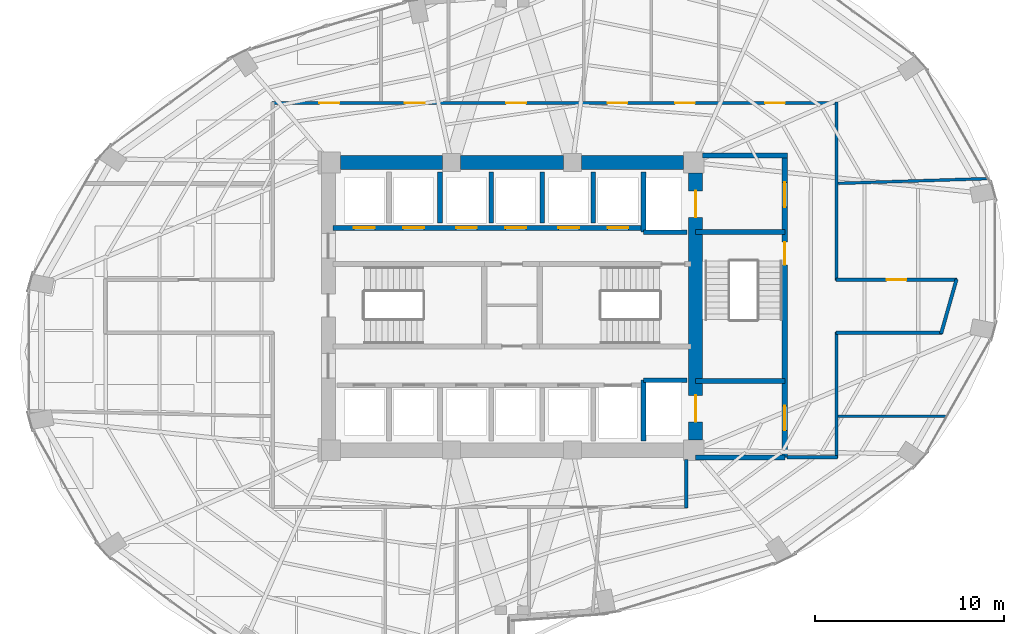
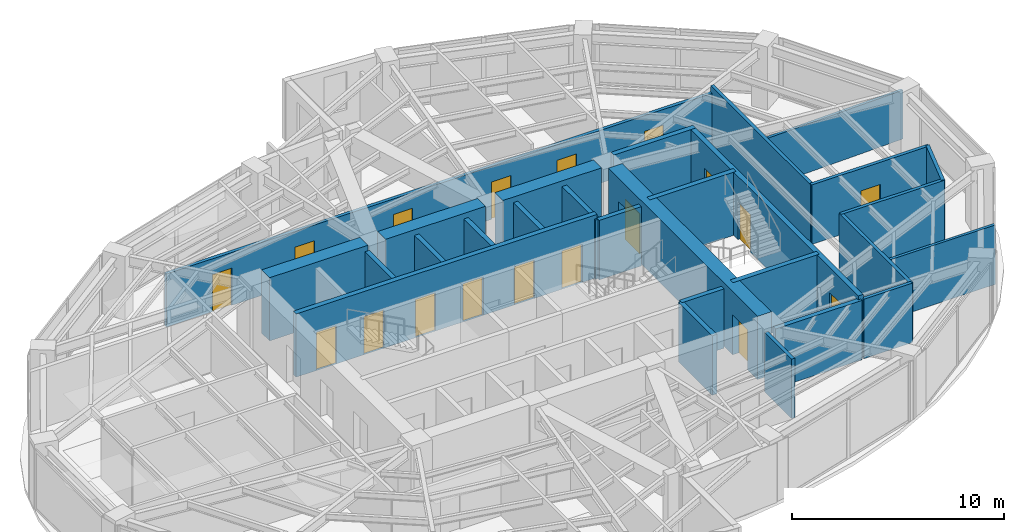
# One storey, part 20 of 23: 28 walls, 18 doors, 18 openings.
"""IFC4 building model written with IfcOpenShell, lengths in metres."""

from ifc_helpers import new_model, si_unit, direction, frame, frame_2d, origin, place, context, subcontext, project, spatial, rectangle, extrude, material, layer, layer_set, type_object, element, fill, save


model = new_model("IFC4")

# Units and contexts
model_context = context("Model", 3, precision=1e-05, world=origin(), true_north=direction((0.0, 1.0)))
body_context = subcontext(model_context, "Body", "Model", "MODEL_VIEW")
ifc_project = project(units=[si_unit("LENGTHUNIT", "METRE"), si_unit("AREAUNIT", "SQUARE_METRE"), si_unit("VOLUMEUNIT", "CUBIC_METRE"), si_unit("PLANEANGLEUNIT", "RADIAN"), si_unit("MASSUNIT", "GRAM", prefix="KILO")], contexts=[model_context])

# Site, building, storey
site_placement = place(None, origin())
site = spatial("IfcSite", under=ifc_project, at=site_placement, CompositionType="ELEMENT")
building_placement = place(site_placement, origin())
building = spatial("IfcBuilding", under=site, at=building_placement, Name="Lazwardi Medical Tower", CompositionType="ELEMENT")
storey_placement = place(building_placement, frame((0.0, 0.0, 85.39208984375)))
storey = spatial("IfcBuildingStorey", under=building, at=storey_placement, Name="L21", CompositionType="ELEMENT", Elevation=85.39208984375)

# Wall, openings, doors
ifc_material_1 = material(Name="Fire-rated gypsum board on steel stud", Category="steel")
ifc_layer_1 = layer(ifc_material_1, 0.179931640625)
ifc_layer_set_1 = layer_set([ifc_layer_1], Name="Fire-rated gypsum board on steel stud")
wall_type_1 = type_object("IfcWallType", Name="WL-COR-180", PredefinedType="PARTITIONING", material=ifc_layer_set_1)
wall_1_placement = place(storey_placement, frame((23.31005859375, 38.75, 0.0), z_axis=(0.0, 0.0, 1.0), x_axis=(1.0, 0.0, 0.0)))
wall_1 = element("IfcWall", 1, at=wall_1_placement, inside=storey, type_object=wall_type_1, Name="L21 Corridor partition 4", PredefinedType="PARTITIONING", context=body_context, shape_type="SweptSolid", body=[
    extrude(rectangle(XDim=29.8798828125, YDim=0.179931640625, at=frame_2d((14.93994140625, 0.0))), origin(), (0.0, 0.0, 1.0), 3.052978515625),
])
opening_1_placement = place(wall_1_placement, frame((26.06591796875, 0.0, 0.0)))
opening_1 = element("IfcOpeningElement", 2, at=opening_1_placement, cuts=wall_1, Name="Opening D-L21-013", PredefinedType="OPENING", context=body_context, shape_type="SweptSolid", body=[
    extrude(rectangle(XDim=1.050048828125, YDim=2.14990234375, at=frame_2d((0.52490234375, 1.074951171875))), frame((0.0, 0.099853515625, 0.0), z_axis=(0.0, -1.0, 0.0), x_axis=(1.0, 0.0, 0.0)), (0.0, 0.0, 1.0), 0.199951171875),
])
opening_2_placement = place(wall_1_placement, frame((21.31005859375, 0.0, 0.0)))
opening_2 = element("IfcOpeningElement", 3, at=opening_2_placement, cuts=wall_1, Name="Opening D-L21-014", PredefinedType="OPENING", context=body_context, shape_type="SweptSolid", body=[
    extrude(rectangle(XDim=1.050048828125, YDim=2.14990234375, at=frame_2d((0.52490234375, 1.074951171875))), frame((0.0, 0.099853515625, 0.0), z_axis=(0.0, -1.0, 0.0), x_axis=(1.0, 0.0, 0.0)), (0.0, 0.0, 1.0), 0.199951171875),
])
opening_3_placement = place(wall_1_placement, frame((17.739990234375, 0.0, 0.0)))
opening_3 = element("IfcOpeningElement", 4, at=opening_3_placement, cuts=wall_1, Name="Opening D-L21-015", PredefinedType="OPENING", context=body_context, shape_type="SweptSolid", body=[
    extrude(rectangle(XDim=1.050048828125, YDim=2.14990234375, at=frame_2d((0.52490234375, 1.074951171875))), frame((0.0, 0.099853515625, 0.0), z_axis=(0.0, -1.0, 0.0), x_axis=(1.0, 0.0, 0.0)), (0.0, 0.0, 1.0), 0.199951171875),
])
opening_4_placement = place(wall_1_placement, frame((12.3798828125, 0.0, 0.0)))
opening_4 = element("IfcOpeningElement", 5, at=opening_4_placement, cuts=wall_1, Name="Opening D-L21-016", PredefinedType="OPENING", context=body_context, shape_type="SweptSolid", body=[
    extrude(rectangle(XDim=1.050048828125, YDim=2.14990234375, at=frame_2d((0.52490234375, 1.074951171875))), frame((0.0, 0.099853515625, 0.0), z_axis=(0.0, -1.0, 0.0), x_axis=(1.0, 0.0, 0.0)), (0.0, 0.0, 1.0), 0.199951171875),
])
opening_5_placement = place(wall_1_placement, frame((7.02001953125, 0.0, 0.0)))
opening_5 = element("IfcOpeningElement", 6, at=opening_5_placement, cuts=wall_1, Name="Opening D-L21-017", PredefinedType="OPENING", context=body_context, shape_type="SweptSolid", body=[
    extrude(rectangle(XDim=1.050048828125, YDim=2.14990234375, at=frame_2d((0.52490234375, 1.074951171875))), frame((0.0, 0.099853515625, 0.0), z_axis=(0.0, -1.0, 0.0), x_axis=(1.0, 0.0, 0.0)), (0.0, 0.0, 1.0), 0.199951171875),
])
opening_6_placement = place(wall_1_placement, frame((2.513916015625, 0.0, 0.0)))
opening_6 = element("IfcOpeningElement", 7, at=opening_6_placement, cuts=wall_1, Name="Opening D-L21-018", PredefinedType="OPENING", context=body_context, shape_type="SweptSolid", body=[
    extrude(rectangle(XDim=1.050048828125, YDim=2.14990234375, at=frame_2d((0.52490234375, 1.074951171875))), frame((0.0, 0.099853515625, 0.0), z_axis=(0.0, -1.0, 0.0), x_axis=(1.0, 0.0, 0.0)), (0.0, 0.0, 1.0), 0.199951171875),
])
ifc_material_2 = material(Name="Anti-microbial laminate hospital leaf")
door_type_1 = type_object("IfcDoorType", Name="DR-CLN-1050", OperationType="NOTDEFINED", PredefinedType="DOOR", material=ifc_material_2)
door_1_placement = place(opening_1_placement, origin())
door_1 = element("IfcDoor", 8, at=door_1_placement, inside=storey, type_object=door_type_1, Name="L21 Outpatient Consultation Suite Door 07", OperationType="SINGLE_SWING_RIGHT", OverallHeight=2.14990234375, OverallWidth=1.050048828125, PredefinedType="DOOR", context=body_context, shape_type="SweptSolid", body=[
    extrude(rectangle(XDim=1.050048828125, YDim=2.14990234375, at=frame_2d((0.52490234375, 1.074951171875))), frame((0.0, 0.02490234375, 0.0), z_axis=(0.0, -1.0, 0.0), x_axis=(1.0, 0.0, 0.0)), (0.0, 0.0, 1.0), 0.050048828125),
])
fill(opening_1, door_1)
door_2_placement = place(opening_2_placement, origin())
door_2 = element("IfcDoor", 9, at=door_2_placement, inside=storey, type_object=door_type_1, Name="L21 Outpatient Consultation Suite Door 08", OperationType="SINGLE_SWING_LEFT", OverallHeight=2.14990234375, OverallWidth=1.050048828125, PredefinedType="DOOR", context=body_context, shape_type="SweptSolid", body=[
    extrude(rectangle(XDim=1.050048828125, YDim=2.14990234375, at=frame_2d((0.52490234375, 1.074951171875))), frame((0.0, 0.02490234375, 0.0), z_axis=(0.0, -1.0, 0.0), x_axis=(1.0, 0.0, 0.0)), (0.0, 0.0, 1.0), 0.050048828125),
])
fill(opening_2, door_2)
door_3_placement = place(opening_3_placement, origin())
door_3 = element("IfcDoor", 10, at=door_3_placement, inside=storey, type_object=door_type_1, Name="L21 Outpatient Consultation Suite Door 09", OperationType="SINGLE_SWING_RIGHT", OverallHeight=2.14990234375, OverallWidth=1.050048828125, PredefinedType="DOOR", context=body_context, shape_type="SweptSolid", body=[
    extrude(rectangle(XDim=1.050048828125, YDim=2.14990234375, at=frame_2d((0.52490234375, 1.074951171875))), frame((0.0, 0.02490234375, 0.0), z_axis=(0.0, -1.0, 0.0), x_axis=(1.0, 0.0, 0.0)), (0.0, 0.0, 1.0), 0.050048828125),
])
fill(opening_3, door_3)
door_4_placement = place(opening_4_placement, origin())
door_4 = element("IfcDoor", 11, at=door_4_placement, inside=storey, type_object=door_type_1, Name="L21 Outpatient Consultation Suite Door 10", OperationType="SINGLE_SWING_LEFT", OverallHeight=2.14990234375, OverallWidth=1.050048828125, PredefinedType="DOOR", context=body_context, shape_type="SweptSolid", body=[
    extrude(rectangle(XDim=1.050048828125, YDim=2.14990234375, at=frame_2d((0.52490234375, 1.074951171875))), frame((0.0, 0.02490234375, 0.0), z_axis=(0.0, -1.0, 0.0), x_axis=(1.0, 0.0, 0.0)), (0.0, 0.0, 1.0), 0.050048828125),
])
fill(opening_4, door_4)
door_5_placement = place(opening_5_placement, origin())
door_5 = element("IfcDoor", 12, at=door_5_placement, inside=storey, type_object=door_type_1, Name="L21 Outpatient Consultation Suite Door 11", OperationType="SINGLE_SWING_RIGHT", OverallHeight=2.14990234375, OverallWidth=1.050048828125, PredefinedType="DOOR", context=body_context, shape_type="SweptSolid", body=[
    extrude(rectangle(XDim=1.050048828125, YDim=2.14990234375, at=frame_2d((0.52490234375, 1.074951171875))), frame((0.0, 0.02490234375, 0.0), z_axis=(0.0, -1.0, 0.0), x_axis=(1.0, 0.0, 0.0)), (0.0, 0.0, 1.0), 0.050048828125),
])
fill(opening_5, door_5)
door_6_placement = place(opening_6_placement, origin())
door_6 = element("IfcDoor", 13, at=door_6_placement, inside=storey, type_object=door_type_1, Name="L21 Outpatient Consultation Suite Door 12", OperationType="SINGLE_SWING_LEFT", OverallHeight=2.14990234375, OverallWidth=1.050048828125, PredefinedType="DOOR", context=body_context, shape_type="SweptSolid", body=[
    extrude(rectangle(XDim=1.050048828125, YDim=2.14990234375, at=frame_2d((0.52490234375, 1.074951171875))), frame((0.0, 0.02490234375, 0.0), z_axis=(0.0, -1.0, 0.0), x_axis=(1.0, 0.0, 0.0)), (0.0, 0.0, 1.0), 0.050048828125),
])
fill(opening_6, door_6)

# Wall
wall_2_placement = place(storey_placement, frame((53.14990234375, 38.7900390625, 0.0), z_axis=(0.0, 0.0, 1.0), x_axis=(0.0, -1.0, 0.0)))
element("IfcWall", 14, at=wall_2_placement, inside=storey, type_object=wall_type_1, Name="L21 Corridor partition 5", PredefinedType="PARTITIONING", context=body_context, shape_type="SweptSolid", body=[
    extrude(rectangle(XDim=9.429931640625, YDim=0.179931640625, at=frame_2d((4.71484375, 0.0))), origin(), (0.0, 0.0, 1.0), 3.427978515625),
])

# Wall, opening, door
wall_3_placement = place(storey_placement, frame((53.110107421875, 29.39990234375, 0.0), z_axis=(0.0, 0.0, 1.0), x_axis=(1.0, 0.0, 0.0)))
wall_3 = element("IfcWall", 15, at=wall_3_placement, inside=storey, type_object=wall_type_1, Name="L21 Corridor partition 6", PredefinedType="PARTITIONING", context=body_context, shape_type="SweptSolid", body=[
    extrude(rectangle(XDim=6.41259765625, YDim=0.179931640625, at=frame_2d((3.206298828125, 0.0))), origin(), (0.0, 0.0, 1.0), 3.427978515625),
])
opening_7_placement = place(wall_3_placement, frame((2.681396484375, 0.0, 0.0)))
opening_7 = element("IfcOpeningElement", 16, at=opening_7_placement, cuts=wall_3, Name="Opening D-L21-012", PredefinedType="OPENING", context=body_context, shape_type="SweptSolid", body=[
    extrude(rectangle(XDim=1.050048828125, YDim=2.14990234375, at=frame_2d((0.52490234375, 1.074951171875))), frame((0.0, 0.099853515625, 0.0), z_axis=(0.0, -1.0, 0.0), x_axis=(1.0, 0.0, 0.0)), (0.0, 0.0, 1.0), 0.199951171875),
])
door_7_placement = place(opening_7_placement, origin())
door_7 = element("IfcDoor", 17, at=door_7_placement, inside=storey, type_object=door_type_1, Name="L21 Outpatient Consultation Suite Door 06", OperationType="SINGLE_SWING_LEFT", OverallHeight=2.14990234375, OverallWidth=1.050048828125, PredefinedType="DOOR", context=body_context, shape_type="SweptSolid", body=[
    extrude(rectangle(XDim=1.050048828125, YDim=2.14990234375, at=frame_2d((0.52490234375, 1.074951171875))), frame((0.0, 0.02490234375, 0.0), z_axis=(0.0, -1.0, 0.0), x_axis=(1.0, 0.0, 0.0)), (0.0, 0.0, 1.0), 0.050048828125),
])
fill(opening_7, door_7)

# Walls
wall_4_placement = place(storey_placement, frame((59.49365234375, 29.4384765625, 0.0), z_axis=(0.0, 0.0, 1.0), x_axis=(-0.273222154729, -0.961950962453, 0.0)))
element("IfcWall", 18, at=wall_4_placement, inside=storey, type_object=wall_type_1, Name="L21 Corridor partition 7", PredefinedType="PARTITIONING", context=body_context, shape_type="SweptSolid", body=[
    extrude(rectangle(XDim=2.99072265625, YDim=0.179931640625, at=frame_2d((1.495361328125, 0.0))), origin(), (0.0, 0.0, 1.0), 3.427978515625),
])
wall_5_placement = place(storey_placement, frame((58.727294921875, 26.60009765625, 0.0), z_axis=(0.0, 0.0, 1.0), x_axis=(-1.0, 0.0, 0.0)))
element("IfcWall", 19, at=wall_5_placement, inside=storey, type_object=wall_type_1, Name="L21 Corridor partition 8", PredefinedType="PARTITIONING", context=body_context, shape_type="SweptSolid", body=[
    extrude(rectangle(XDim=5.6171875, YDim=0.179931640625, at=frame_2d((2.80859375, 0.0))), origin(), (0.0, 0.0, 1.0), 3.427978515625),
])
wall_6_placement = place(storey_placement, frame((53.14990234375, 26.639892578125, 0.0), z_axis=(0.0, 0.0, 1.0), x_axis=(0.0, -1.0, 0.0)))
element("IfcWall", 20, at=wall_6_placement, inside=storey, type_object=wall_type_1, Name="L21 Corridor partition 9", PredefinedType="PARTITIONING", context=body_context, shape_type="SweptSolid", body=[
    extrude(rectangle(XDim=6.659912109375, YDim=0.179931640625, at=frame_2d((3.330078125, 0.0))), origin(), (0.0, 0.0, 1.0), 3.427978515625),
])
wall_7_placement = place(storey_placement, frame((53.18994140625, 20.02001953125, 0.0), z_axis=(0.0, 0.0, 1.0), x_axis=(-1.0, 0.0, 0.0)))
element("IfcWall", 21, at=wall_7_placement, inside=storey, type_object=wall_type_1, Name="L21 Corridor partition 10", PredefinedType="PARTITIONING", context=body_context, shape_type="SweptSolid", body=[
    extrude(rectangle(XDim=2.64990234375, YDim=0.179931640625, at=frame_2d((1.324951171875, 0.0))), origin(), (0.0, 0.0, 1.0), 3.427978515625),
])
wall_8_placement = place(storey_placement, frame((45.199951171875, 19.909912109375, 0.0), z_axis=(0.0, 0.0, 1.0), x_axis=(0.0, -1.0, 0.0)))
element("IfcWall", 22, at=wall_8_placement, inside=storey, type_object=wall_type_1, Name="L21 Corridor partition 13", PredefinedType="PARTITIONING", context=body_context, shape_type="SweptSolid", body=[
    extrude(rectangle(XDim=2.5498046875, YDim=0.179931640625, at=frame_2d((1.27490234375, 0.0))), origin(), (0.0, 0.0, 1.0), 3.427978515625),
])

# Wall, openings, doors
ifc_material_3 = material(Name="Concrete C70/85", Category="concrete")
ifc_layer_2 = layer(ifc_material_3, 0.75)
ifc_layer_set_2 = layer_set([ifc_layer_2], Name="Concrete C70/85")
wall_type_2 = type_object("IfcWallType", Name="WL-CORE-750", PredefinedType="SHEAR", material=ifc_layer_set_2)
wall_9_placement = place(storey_placement, frame((45.699951171875, 20.949951171875, 0.0), z_axis=(0.0, 0.0, 1.0), x_axis=(0.0, 1.0, 0.0)))
wall_9 = element("IfcWall", 23, at=wall_9_placement, inside=storey, type_object=wall_type_2, Name="Core wall CW-S2 east L21", PredefinedType="SHEAR", context=body_context, shape_type="SweptSolid", body=[
    extrude(rectangle(XDim=14.10009765625, YDim=0.75, at=frame_2d((7.050048828125, 0.0))), origin(), (0.0, 0.0, 1.0), 3.64794921875),
])
opening_8_placement = place(wall_9_placement, frame((11.75, 0.0, 0.0)))
opening_8 = element("IfcOpeningElement", 24, at=opening_8_placement, cuts=wall_9, Name="Opening LD-L21-001", PredefinedType="OPENING", context=body_context, shape_type="SweptSolid", body=[
    extrude(rectangle(XDim=1.39990234375, YDim=2.300048828125, at=frame_2d((0.699951171875, 1.14990234375))), frame((0.0, 0.385009765625, 0.0), z_axis=(0.0, -1.0, 0.0), x_axis=(1.0, 0.0, 0.0)), (0.0, 0.0, 1.0), 0.77001953125),
])
opening_9_placement = place(wall_9_placement, frame((0.949951171875, 0.0, 0.0)))
opening_9 = element("IfcOpeningElement", 25, at=opening_9_placement, cuts=wall_9, Name="Opening LD-L21-002", PredefinedType="OPENING", context=body_context, shape_type="SweptSolid", body=[
    extrude(rectangle(XDim=1.39990234375, YDim=2.300048828125, at=frame_2d((0.699951171875, 1.14990234375))), frame((0.0, 0.385009765625, 0.0), z_axis=(0.0, -1.0, 0.0), x_axis=(1.0, 0.0, 0.0)), (0.0, 0.0, 1.0), 0.77001953125),
])
ifc_material_4 = material(Name="Brushed stainless steel bed-lift landing door", Category="steel")
door_type_2 = type_object("IfcDoorType", Name="DR-LFT-1400", OperationType="NOTDEFINED", PredefinedType="DOOR", material=ifc_material_4)
door_8_placement = place(opening_8_placement, origin())
door_8 = element("IfcDoor", 26, at=door_8_placement, inside=storey, type_object=door_type_2, Name="L21 Lift Landing Door FL-01", OperationType="SLIDING_TO_LEFT", OverallHeight=2.300048828125, OverallWidth=1.39990234375, PredefinedType="DOOR", context=body_context, shape_type="SweptSolid", body=[
    extrude(rectangle(XDim=1.39990234375, YDim=2.300048828125, at=frame_2d((0.699951171875, 1.14990234375))), frame((0.0, 0.02490234375, 0.0), z_axis=(0.0, -1.0, 0.0), x_axis=(1.0, 0.0, 0.0)), (0.0, 0.0, 1.0), 0.050048828125),
])
fill(opening_8, door_8)
door_9_placement = place(opening_9_placement, origin())
door_9 = element("IfcDoor", 27, at=door_9_placement, inside=storey, type_object=door_type_2, Name="L21 Lift Landing Door FL-02", OperationType="SLIDING_TO_LEFT", OverallHeight=2.300048828125, OverallWidth=1.39990234375, PredefinedType="DOOR", context=body_context, shape_type="SweptSolid", body=[
    extrude(rectangle(XDim=1.39990234375, YDim=2.300048828125, at=frame_2d((0.699951171875, 1.14990234375))), frame((0.0, 0.02490234375, 0.0), z_axis=(0.0, -1.0, 0.0), x_axis=(1.0, 0.0, 0.0)), (0.0, 0.0, 1.0), 0.050048828125),
])
fill(opening_9, door_9)

# Walls
wall_10_placement = place(storey_placement, frame((26.949951171875, 35.60009765625, 0.0), z_axis=(0.0, 0.0, 1.0), x_axis=(1.0, 0.0, 0.0)))
element("IfcWall", 28, at=wall_10_placement, inside=storey, type_object=wall_type_2, Name="Core wall CW-S2 N1 L21", PredefinedType="SHEAR", context=body_context, shape_type="SweptSolid", body=[
    extrude(rectangle(XDim=5.375, YDim=0.75, at=frame_2d((2.6875, 0.0))), origin(), (0.0, 0.0, 1.0), 3.64794921875),
])
wall_11_placement = place(storey_placement, frame((33.27490234375, 35.60009765625, 0.0), z_axis=(0.0, 0.0, 1.0), x_axis=(1.0, 0.0, 0.0)))
element("IfcWall", 29, at=wall_11_placement, inside=storey, type_object=wall_type_2, Name="Core wall CW-S2 N2 L21", PredefinedType="SHEAR", context=body_context, shape_type="SweptSolid", body=[
    extrude(rectangle(XDim=5.4501953125, YDim=0.75, at=frame_2d((2.72509765625, 0.0))), origin(), (0.0, 0.0, 1.0), 3.64794921875),
])
wall_12_placement = place(storey_placement, frame((39.675048828125, 35.60009765625, 0.0), z_axis=(0.0, 0.0, 1.0), x_axis=(1.0, 0.0, 0.0)))
element("IfcWall", 30, at=wall_12_placement, inside=storey, type_object=wall_type_2, Name="Core wall CW-S2 N3 L21", PredefinedType="SHEAR", context=body_context, shape_type="SweptSolid", body=[
    extrude(rectangle(XDim=5.375, YDim=0.75, at=frame_2d((2.6875, 0.0))), origin(), (0.0, 0.0, 1.0), 3.64794921875),
])
ifc_material_5 = material(Name="Autoclaved aerated concrete blockwork", Category="masonry")
ifc_layer_3 = layer(ifc_material_5, 0.25)
ifc_layer_set_3 = layer_set([ifc_layer_3], Name="Autoclaved aerated concrete blockwork")
wall_type_3 = type_object("IfcWallType", Name="WL-SHAFT-250", PredefinedType="SOLIDWALL", material=ifc_layer_set_3)
wall_13_placement = place(storey_placement, frame((42.949951171875, 31.919921875, 0.0), z_axis=(0.0, 0.0, 1.0), x_axis=(0.0, 1.0, 0.0)))
element("IfcWall", 31, at=wall_13_placement, inside=storey, type_object=wall_type_3, Name="L21 FL-01 West shaft wall", PredefinedType="SOLIDWALL", context=body_context, shape_type="SweptSolid", body=[
    extrude(rectangle(XDim=3.18017578125, YDim=0.25, at=frame_2d((1.590087890625, 0.0))), origin(), (0.0, 0.0, 1.0), 3.427978515625),
])
wall_14_placement = place(storey_placement, frame((42.949951171875, 31.919921875, 0.0), z_axis=(0.0, 0.0, 1.0), x_axis=(1.0, 0.0, 0.0)))
element("IfcWall", 32, at=wall_14_placement, inside=storey, type_object=wall_type_3, Name="L21 FL-01 South shaft wall", PredefinedType="SOLIDWALL", context=body_context, shape_type="SweptSolid", body=[
    extrude(rectangle(XDim=2.300048828125, YDim=0.25, at=frame_2d((1.14990234375, 0.0))), origin(), (0.0, 0.0, 1.0), 3.427978515625),
])
wall_15_placement = place(storey_placement, frame((42.949951171875, 20.89990234375, 0.0), z_axis=(0.0, 0.0, 1.0), x_axis=(0.0, 1.0, 0.0)))
element("IfcWall", 33, at=wall_15_placement, inside=storey, type_object=wall_type_3, Name="L21 FL-02 West shaft wall", PredefinedType="SOLIDWALL", context=body_context, shape_type="SweptSolid", body=[
    extrude(rectangle(XDim=3.2001953125, YDim=0.25, at=frame_2d((1.60009765625, 0.0))), origin(), (0.0, 0.0, 1.0), 3.427978515625),
])
wall_16_placement = place(storey_placement, frame((42.949951171875, 24.10009765625, 0.0), z_axis=(0.0, 0.0, 1.0), x_axis=(1.0, 0.0, 0.0)))
element("IfcWall", 34, at=wall_16_placement, inside=storey, type_object=wall_type_3, Name="L21 FL-02 North shaft wall", PredefinedType="SOLIDWALL", context=body_context, shape_type="SweptSolid", body=[
    extrude(rectangle(XDim=2.300048828125, YDim=0.25, at=frame_2d((1.14990234375, 0.0))), origin(), (0.0, 0.0, 1.0), 3.427978515625),
])
for number, where, z_axis, x_axis, name in (
    (35, (32.199951171875, 32.419921875, 0.0), (0.0, 0.0, 1.0), (0.0, 1.0, 0.0), "L21 North hoistway divider"),
    (36, (34.89990234375, 32.419921875, 0.0), (0.0, 0.0, 1.0), (0.0, 1.0, 0.0), "L21 North hoistway divider"),
    (37, (37.60009765625, 32.419921875, 0.0), (0.0, 0.0, 1.0), (0.0, 1.0, 0.0), "L21 North hoistway divider"),
    (38, (40.300048828125, 32.419921875, 0.0), (0.0, 0.0, 1.0), (0.0, 1.0, 0.0), "L21 North hoistway divider"),
):
    element("IfcWall", number, at=place(storey_placement, frame(where, z_axis=z_axis, x_axis=x_axis)), inside=storey, type_object=wall_type_3, Name=name, PredefinedType="SOLIDWALL", context=body_context, shape_type="SweptSolid", body=[
        extrude(rectangle(XDim=2.68017578125, YDim=0.25, at=frame_2d((1.340087890625, 0.0))), origin(), (0.0, 0.0, 1.0), 3.427978515625),
    ])
wall_17_placement = place(storey_placement, frame((45.699951171875, 20.02001953125, 0.0), z_axis=(0.0, 0.0, 1.0), x_axis=(1.0, 0.0, 0.0)))
element("IfcWall", 39, at=wall_17_placement, inside=storey, type_object=wall_type_3, Name="L21 FFL-S South wall", PredefinedType="SOLIDWALL", context=body_context, shape_type="SweptSolid", body=[
    extrude(rectangle(XDim=4.715087890625, YDim=0.25, at=frame_2d((2.357421875, 0.0))), origin(), (0.0, 0.0, 1.0), 3.427978515625),
])

# Wall, openings, doors
ifc_material_6 = material(Name="Concrete C50/60", Category="concrete")
ifc_layer_4 = layer(ifc_material_6, 0.27001953125)
ifc_layer_set_4 = layer_set([ifc_layer_4], Name="Concrete C50/60")
wall_type_4 = type_object("IfcWallType", Name="WL-STR-250", PredefinedType="SHEAR", material=ifc_layer_set_4)
wall_18_placement = place(storey_placement, frame((26.550048828125, 32.14990234375, 0.0), z_axis=(0.0, 0.0, 1.0), x_axis=(1.0, 0.0, 0.0)))
wall_18 = element("IfcWall", 40, at=wall_18_placement, inside=storey, type_object=wall_type_4, Name="L21 North lift bank shear wall SW-S1", PredefinedType="SHEAR", context=body_context, shape_type="SweptSolid", body=[
    extrude(rectangle(XDim=16.39990234375, YDim=0.27001953125, at=frame_2d((8.199951171875, 0.0))), origin(), (0.0, 0.0, 1.0), 3.64794921875),
])
opening_10_placement = place(wall_18_placement, frame((1.10009765625, 0.0, 0.0)))
opening_10 = element("IfcOpeningElement", 41, at=opening_10_placement, cuts=wall_18, Name="Opening LD-L21-004", PredefinedType="OPENING", context=body_context, shape_type="SweptSolid", body=[
    extrude(rectangle(XDim=1.10009765625, YDim=2.199951171875, at=frame_2d((0.550048828125, 1.10009765625))), frame((0.0, 0.14501953125, 0.0), z_axis=(0.0, -1.0, 0.0), x_axis=(1.0, 0.0, 0.0)), (0.0, 0.0, 1.0), 0.2900390625),
])
opening_11_placement = place(wall_18_placement, frame((3.699951171875, 0.0, 0.0)))
opening_11 = element("IfcOpeningElement", 42, at=opening_11_placement, cuts=wall_18, Name="Opening LD-L21-005", PredefinedType="OPENING", context=body_context, shape_type="SweptSolid", body=[
    extrude(rectangle(XDim=1.10009765625, YDim=2.199951171875, at=frame_2d((0.550048828125, 1.10009765625))), frame((0.0, 0.14501953125, 0.0), z_axis=(0.0, -1.0, 0.0), x_axis=(1.0, 0.0, 0.0)), (0.0, 0.0, 1.0), 0.2900390625),
])
opening_12_placement = place(wall_18_placement, frame((6.5, 0.0, 0.0)))
opening_12 = element("IfcOpeningElement", 43, at=opening_12_placement, cuts=wall_18, Name="Opening LD-L21-008", PredefinedType="OPENING", context=body_context, shape_type="SweptSolid", body=[
    extrude(rectangle(XDim=1.10009765625, YDim=2.199951171875, at=frame_2d((0.550048828125, 1.10009765625))), frame((0.0, 0.14501953125, 0.0), z_axis=(0.0, -1.0, 0.0), x_axis=(1.0, 0.0, 0.0)), (0.0, 0.0, 1.0), 0.2900390625),
])
opening_13_placement = place(wall_18_placement, frame((9.10009765625, 0.0, 0.0)))
opening_13 = element("IfcOpeningElement", 44, at=opening_13_placement, cuts=wall_18, Name="Opening LD-L21-009", PredefinedType="OPENING", context=body_context, shape_type="SweptSolid", body=[
    extrude(rectangle(XDim=1.10009765625, YDim=2.199951171875, at=frame_2d((0.550048828125, 1.10009765625))), frame((0.0, 0.14501953125, 0.0), z_axis=(0.0, -1.0, 0.0), x_axis=(1.0, 0.0, 0.0)), (0.0, 0.0, 1.0), 0.2900390625),
])
opening_14_placement = place(wall_18_placement, frame((11.89990234375, 0.0, 0.0)))
opening_14 = element("IfcOpeningElement", 45, at=opening_14_placement, cuts=wall_18, Name="Opening LD-L21-012", PredefinedType="OPENING", context=body_context, shape_type="SweptSolid", body=[
    extrude(rectangle(XDim=1.10009765625, YDim=2.199951171875, at=frame_2d((0.550048828125, 1.10009765625))), frame((0.0, 0.14501953125, 0.0), z_axis=(0.0, -1.0, 0.0), x_axis=(1.0, 0.0, 0.0)), (0.0, 0.0, 1.0), 0.2900390625),
])
opening_15_placement = place(wall_18_placement, frame((14.5, 0.0, 0.0)))
opening_15 = element("IfcOpeningElement", 46, at=opening_15_placement, cuts=wall_18, Name="Opening LD-L21-013", PredefinedType="OPENING", context=body_context, shape_type="SweptSolid", body=[
    extrude(rectangle(XDim=1.10009765625, YDim=2.199951171875, at=frame_2d((0.550048828125, 1.10009765625))), frame((0.0, 0.14501953125, 0.0), z_axis=(0.0, -1.0, 0.0), x_axis=(1.0, 0.0, 0.0)), (0.0, 0.0, 1.0), 0.2900390625),
])
ifc_material_7 = material(Name="Brushed bronze stainless steel landing door", Category="steel")
door_type_3 = type_object("IfcDoorType", Name="DR-LFT-1100", OperationType="NOTDEFINED", PredefinedType="DOOR", material=ifc_material_7)
door_10_placement = place(opening_10_placement, origin())
door_10 = element("IfcDoor", 47, at=door_10_placement, inside=storey, type_object=door_type_3, Name="L21 Lift Landing Door PL-01", OperationType="SLIDING_TO_LEFT", OverallHeight=2.199951171875, OverallWidth=1.10009765625, PredefinedType="DOOR", context=body_context, shape_type="SweptSolid", body=[
    extrude(rectangle(XDim=1.10009765625, YDim=2.199951171875, at=frame_2d((0.550048828125, 1.10009765625))), frame((0.0, 0.02490234375, 0.0), z_axis=(0.0, -1.0, 0.0), x_axis=(1.0, 0.0, 0.0)), (0.0, 0.0, 1.0), 0.050048828125),
])
fill(opening_10, door_10)
door_11_placement = place(opening_11_placement, origin())
door_11 = element("IfcDoor", 48, at=door_11_placement, inside=storey, type_object=door_type_3, Name="L21 Lift Landing Door PL-02", OperationType="SLIDING_TO_LEFT", OverallHeight=2.199951171875, OverallWidth=1.10009765625, PredefinedType="DOOR", context=body_context, shape_type="SweptSolid", body=[
    extrude(rectangle(XDim=1.10009765625, YDim=2.199951171875, at=frame_2d((0.550048828125, 1.10009765625))), frame((0.0, 0.02490234375, 0.0), z_axis=(0.0, -1.0, 0.0), x_axis=(1.0, 0.0, 0.0)), (0.0, 0.0, 1.0), 0.050048828125),
])
fill(opening_11, door_11)
door_12_placement = place(opening_12_placement, origin())
door_12 = element("IfcDoor", 49, at=door_12_placement, inside=storey, type_object=door_type_3, Name="L21 Lift Landing Door PL-05", OperationType="SLIDING_TO_LEFT", OverallHeight=2.199951171875, OverallWidth=1.10009765625, PredefinedType="DOOR", context=body_context, shape_type="SweptSolid", body=[
    extrude(rectangle(XDim=1.10009765625, YDim=2.199951171875, at=frame_2d((0.550048828125, 1.10009765625))), frame((0.0, 0.02490234375, 0.0), z_axis=(0.0, -1.0, 0.0), x_axis=(1.0, 0.0, 0.0)), (0.0, 0.0, 1.0), 0.050048828125),
])
fill(opening_12, door_12)
door_13_placement = place(opening_13_placement, origin())
door_13 = element("IfcDoor", 50, at=door_13_placement, inside=storey, type_object=door_type_3, Name="L21 Lift Landing Door PL-06", OperationType="SLIDING_TO_LEFT", OverallHeight=2.199951171875, OverallWidth=1.10009765625, PredefinedType="DOOR", context=body_context, shape_type="SweptSolid", body=[
    extrude(rectangle(XDim=1.10009765625, YDim=2.199951171875, at=frame_2d((0.550048828125, 1.10009765625))), frame((0.0, 0.02490234375, 0.0), z_axis=(0.0, -1.0, 0.0), x_axis=(1.0, 0.0, 0.0)), (0.0, 0.0, 1.0), 0.050048828125),
])
fill(opening_13, door_13)
door_14_placement = place(opening_14_placement, origin())
door_14 = element("IfcDoor", 51, at=door_14_placement, inside=storey, type_object=door_type_3, Name="L21 Lift Landing Door PL-09", OperationType="SLIDING_TO_LEFT", OverallHeight=2.199951171875, OverallWidth=1.10009765625, PredefinedType="DOOR", context=body_context, shape_type="SweptSolid", body=[
    extrude(rectangle(XDim=1.10009765625, YDim=2.199951171875, at=frame_2d((0.550048828125, 1.10009765625))), frame((0.0, 0.02490234375, 0.0), z_axis=(0.0, -1.0, 0.0), x_axis=(1.0, 0.0, 0.0)), (0.0, 0.0, 1.0), 0.050048828125),
])
fill(opening_14, door_14)
door_15_placement = place(opening_15_placement, origin())
door_15 = element("IfcDoor", 52, at=door_15_placement, inside=storey, type_object=door_type_3, Name="L21 Lift Landing Door PL-10", OperationType="SLIDING_TO_LEFT", OverallHeight=2.199951171875, OverallWidth=1.10009765625, PredefinedType="DOOR", context=body_context, shape_type="SweptSolid", body=[
    extrude(rectangle(XDim=1.10009765625, YDim=2.199951171875, at=frame_2d((0.550048828125, 1.10009765625))), frame((0.0, 0.02490234375, 0.0), z_axis=(0.0, -1.0, 0.0), x_axis=(1.0, 0.0, 0.0)), (0.0, 0.0, 1.0), 0.050048828125),
])
fill(opening_15, door_15)

wall_19_placement = place(storey_placement, frame((50.4150390625, 35.844970703125, 0.0), z_axis=(0.0, 0.0, 1.0), x_axis=(0.0, -1.0, 0.0)))
wall_19 = element("IfcWall", 53, at=wall_19_placement, inside=storey, type_object=wall_type_4, Name="L21 East ST3 & FFL shear wall SW-S1", PredefinedType="SHEAR", context=body_context, shape_type="SweptSolid", body=[
    extrude(rectangle(XDim=15.824951171875, YDim=0.27001953125, at=frame_2d((7.91259765625, 0.0))), origin(), (0.0, 0.0, 1.0), 3.64794921875),
])
opening_16_placement = place(wall_19_placement, frame((4.445068359375, 0.0, 0.0)))
opening_16 = element("IfcOpeningElement", 54, at=opening_16_placement, cuts=wall_19, Name="Opening D-L21-022", PredefinedType="OPENING", context=body_context, shape_type="SweptSolid", body=[
    extrude(rectangle(XDim=1.199951171875, YDim=2.14990234375, at=frame_2d((0.60009765625, 1.074951171875))), frame((0.0, 0.14501953125, 0.0), z_axis=(0.0, -1.0, 0.0), x_axis=(1.0, 0.0, 0.0)), (0.0, 0.0, 1.0), 0.2900390625),
])
opening_17_placement = place(wall_19_placement, frame((1.294921875, 0.0, 0.0)))
opening_17 = element("IfcOpeningElement", 55, at=opening_17_placement, cuts=wall_19, Name="Opening D-L21-003", PredefinedType="OPENING", context=body_context, shape_type="SweptSolid", body=[
    extrude(rectangle(XDim=1.300048828125, YDim=2.199951171875, at=frame_2d((0.64990234375, 1.10009765625))), frame((0.0, 0.14501953125, 0.0), z_axis=(0.0, -1.0, 0.0), x_axis=(1.0, 0.0, 0.0)), (0.0, 0.0, 1.0), 0.2900390625),
])
opening_18_placement = place(wall_19_placement, frame((13.094970703125, 0.0, 0.0)))
opening_18 = element("IfcOpeningElement", 56, at=opening_18_placement, cuts=wall_19, Name="Opening D-L21-004", PredefinedType="OPENING", context=body_context, shape_type="SweptSolid", body=[
    extrude(rectangle(XDim=1.300048828125, YDim=2.199951171875, at=frame_2d((0.64990234375, 1.10009765625))), frame((0.0, 0.14501953125, 0.0), z_axis=(0.0, -1.0, 0.0), x_axis=(1.0, 0.0, 0.0)), (0.0, 0.0, 1.0), 0.2900390625),
])
ifc_material_8 = material(Name="Fire-rated steel leaf and frame", Category="steel")
door_type_4 = type_object("IfcDoorType", Name="DR-FFL-1300", OperationType="NOTDEFINED", PredefinedType="DOOR", material=ifc_material_8)
door_16_placement = place(opening_17_placement, origin())
door_16 = element("IfcDoor", 57, at=door_16_placement, inside=storey, type_object=door_type_4, Name="L21 Fire-Fighting Lobby North Door", OperationType="SINGLE_SWING_RIGHT", OverallHeight=2.199951171875, OverallWidth=1.300048828125, PredefinedType="DOOR", context=body_context, shape_type="SweptSolid", body=[
    extrude(rectangle(XDim=1.300048828125, YDim=2.199951171875, at=frame_2d((0.64990234375, 1.10009765625))), frame((0.0, 0.02490234375, 0.0), z_axis=(0.0, -1.0, 0.0), x_axis=(1.0, 0.0, 0.0)), (0.0, 0.0, 1.0), 0.050048828125),
])
fill(opening_17, door_16)
door_17_placement = place(opening_18_placement, origin())
door_17 = element("IfcDoor", 58, at=door_17_placement, inside=storey, type_object=door_type_4, Name="L21 Fire-Fighting Lobby South Door", OperationType="SINGLE_SWING_LEFT", OverallHeight=2.199951171875, OverallWidth=1.300048828125, PredefinedType="DOOR", context=body_context, shape_type="SweptSolid", body=[
    extrude(rectangle(XDim=1.300048828125, YDim=2.199951171875, at=frame_2d((0.64990234375, 1.10009765625))), frame((0.0, 0.02490234375, 0.0), z_axis=(0.0, -1.0, 0.0), x_axis=(1.0, 0.0, 0.0)), (0.0, 0.0, 1.0), 0.050048828125),
])
fill(opening_18, door_17)
door_type_5 = type_object("IfcDoorType", Name="DR-STR-1200", OperationType="NOTDEFINED", PredefinedType="DOOR", material=ifc_material_8)
door_18_placement = place(opening_16_placement, origin())
door_18 = element("IfcDoor", 59, at=door_18_placement, inside=storey, type_object=door_type_5, Name="L21 Exit Stair ST3 Door", OperationType="SINGLE_SWING_LEFT", OverallHeight=2.14990234375, OverallWidth=1.199951171875, PredefinedType="DOOR", context=body_context, shape_type="SweptSolid", body=[
    extrude(rectangle(XDim=1.199951171875, YDim=2.14990234375, at=frame_2d((0.60009765625, 1.074951171875))), frame((0.0, 0.02490234375, 0.0), z_axis=(0.0, -1.0, 0.0), x_axis=(1.0, 0.0, 0.0)), (0.0, 0.0, 1.0), 0.050048828125),
])
fill(opening_16, door_18)

# Walls
wall_20_placement = place(storey_placement, frame((46.074951171875, 35.97998046875, 0.0), z_axis=(0.0, 0.0, 1.0), x_axis=(1.0, 0.0, 0.0)))
element("IfcWall", 60, at=wall_20_placement, inside=storey, type_object=wall_type_4, Name="L21 FFL-N North shear wall SW-S1", PredefinedType="SHEAR", context=body_context, shape_type="SweptSolid", body=[
    extrude(rectangle(XDim=4.47509765625, YDim=0.27001953125, at=frame_2d((2.237548828125, 0.0))), origin(), (0.0, 0.0, 1.0), 3.64794921875),
])
for number, where, z_axis, x_axis, name in (
    (61, (45.699951171875, 31.93505859375, 0.0), (0.0, 0.0, 1.0), (1.0, 0.0, 0.0), "L21 ST3 North shear shaft wall SW-S1"),
    (62, (45.699951171875, 24.06494140625, 0.0), (0.0, 0.0, 1.0), (1.0, 0.0, 0.0), "L21 ST3 South shear shaft wall SW-S1"),
):
    element("IfcWall", number, at=place(storey_placement, frame(where, z_axis=z_axis, x_axis=x_axis)), inside=storey, type_object=wall_type_4, Name=name, PredefinedType="SHEAR", context=body_context, shape_type="SweptSolid", body=[
        extrude(rectangle(XDim=4.715087890625, YDim=0.27001953125, at=frame_2d((2.357421875, 0.0))), origin(), (0.0, 0.0, 1.0), 3.64794921875),
    ])
ifc_material_9 = material(Name="Acoustic gypsum board partition")
ifc_layer_5 = layer(ifc_material_9, 0.14990234375)
ifc_layer_set_5 = layer_set([ifc_layer_5], Name="Acoustic gypsum board partition")
wall_type_5 = type_object("IfcWallType", Name="WL-WRD-150", PredefinedType="PARTITIONING", material=ifc_layer_set_5)
wall_21_placement = place(storey_placement, frame((53.239990234375, 22.199951171875, 0.0), z_axis=(0.0, 0.0, 1.0), x_axis=(1.0, 0.0, 0.0)))
element("IfcWall", 63, at=wall_21_placement, inside=storey, type_object=wall_type_5, Name="L21 Room partition 3", PredefinedType="PARTITIONING", context=body_context, shape_type="SweptSolid", body=[
    extrude(rectangle(XDim=5.731201171875, YDim=0.14990234375, at=frame_2d((2.86572265625, 0.0))), origin(), (0.0, 0.0, 1.0), 3.427978515625),
])
wall_22_placement = place(storey_placement, frame((53.239990234375, 34.50244140625, 0.0), z_axis=(0.0, 0.0, 1.0), x_axis=(0.999499445349, 0.031636351679, 0.0)))
element("IfcWall", 64, at=wall_22_placement, inside=storey, type_object=wall_type_5, Name="L21 Room partition 4", PredefinedType="PARTITIONING", context=body_context, shape_type="SweptSolid", body=[
    extrude(rectangle(XDim=7.93310546875, YDim=0.14990234375, at=frame_2d((3.966552734375, 0.0))), origin(), (0.0, 0.0, 1.0), 2.81298828125),
])

save(model, "model.ifc")
